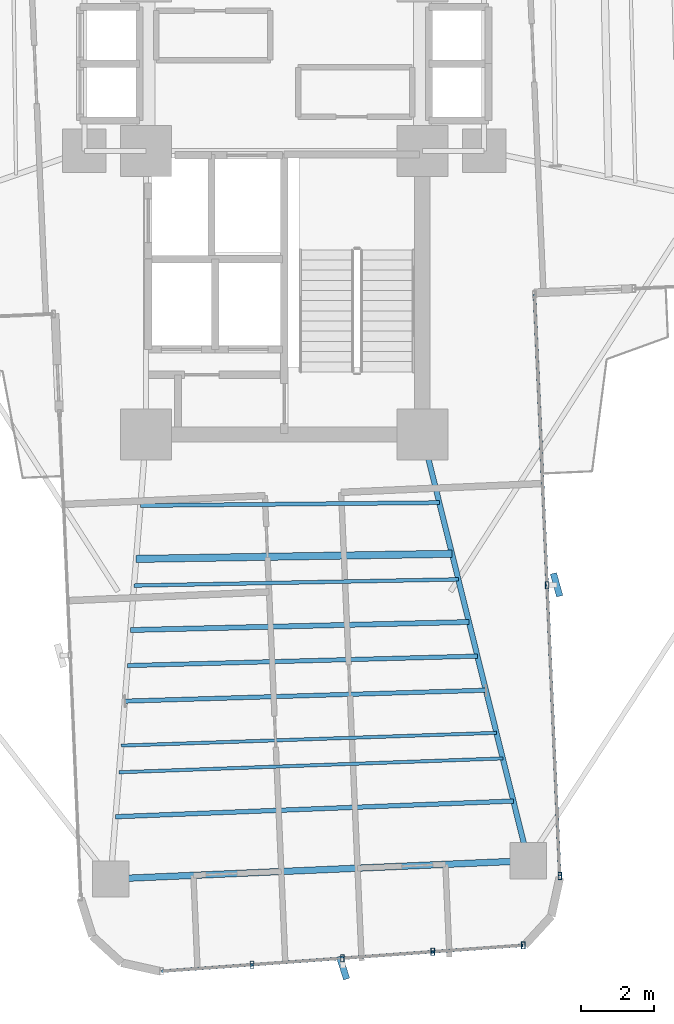
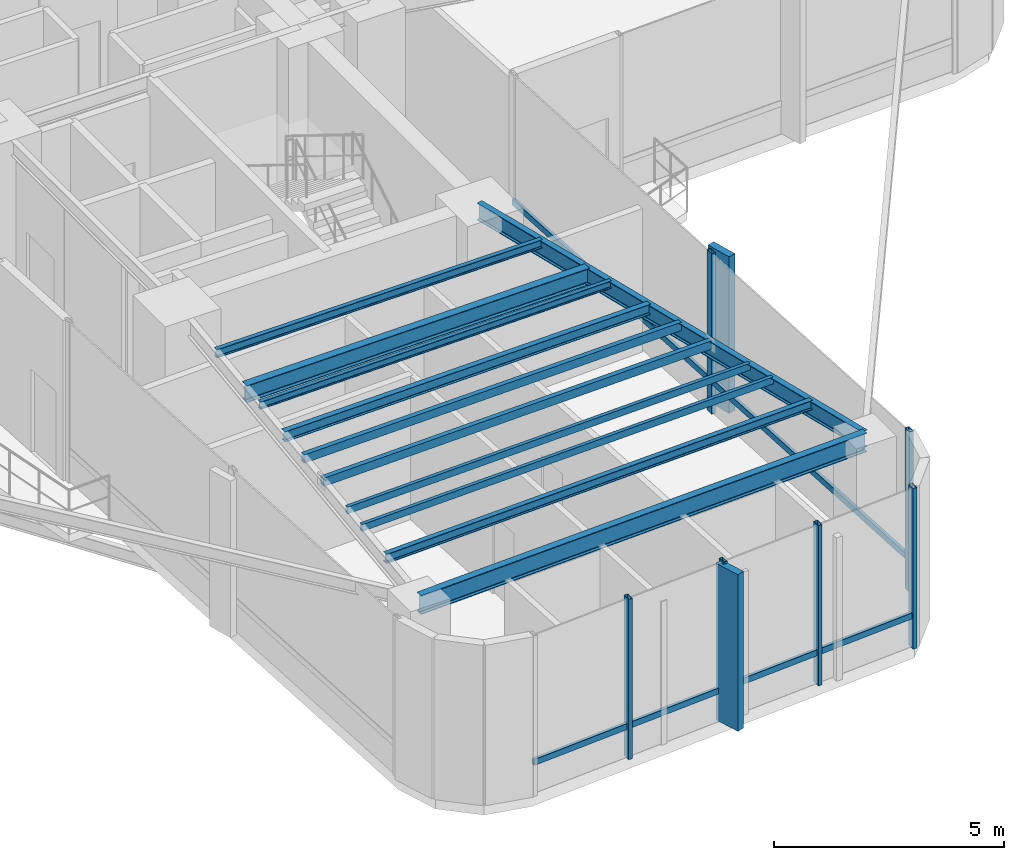
# One storey, part 3 of 21: 14 members, 11 beams, 2 elements without a shape of their own.
"""IFC4 building model written with IfcOpenShell, lengths in metres."""

from ifc_helpers import new_model, si_unit, direction, frame, origin, origin_2d, place, context, subcontext, project, spatial, rectangle, hollow_rectangle, i_section, extrude, source, transform, mapped, material, material_profile, profile_set, type_object, element, aggregate, save


model = new_model("IFC4")

# Units and contexts
model_context = context("Model", 3, precision=1e-05, world=origin(), true_north=direction((0.0, 1.0)))
body_context = subcontext(model_context, "Body", "Model", "MODEL_VIEW")
ifc_project = project(units=[si_unit("LENGTHUNIT", "METRE"), si_unit("AREAUNIT", "SQUARE_METRE"), si_unit("VOLUMEUNIT", "CUBIC_METRE"), si_unit("PLANEANGLEUNIT", "RADIAN"), si_unit("MASSUNIT", "GRAM", prefix="KILO")], contexts=[model_context])

# Site, building, storey
site_placement = place(None, origin())
site = spatial("IfcSite", under=ifc_project, at=site_placement, CompositionType="ELEMENT")
building_placement = place(site_placement, origin())
building = spatial("IfcBuilding", under=site, at=building_placement, Name="Sahyath Konkavel Grand Hotel", CompositionType="ELEMENT")
storey_placement = place(building_placement, frame((0.0, 0.0, 79.0)))
storey = spatial("IfcBuildingStorey", under=building, at=storey_placement, Name="L21", CompositionType="ELEMENT", Elevation=79.0)

# Beams
ifc_material_1 = material(Name="Steel E350", Category="steel")
ifc_material_profile_1 = material_profile(ifc_material_1, i_section(OverallWidth=0.14990234375, OverallDepth=0.449951171875, WebThickness=0.009521484375, FlangeThickness=0.017333984375, FilletRadius=0.014892578125, at=origin_2d()), Name="ISMB 450")
ifc_profile_set_1 = profile_set([ifc_material_profile_1], Name="Steel E350")
beam_type_1 = type_object("IfcBeamType", Name="BM-ISMB450", PredefinedType="BEAM", material=ifc_profile_set_1)
shared_shape_1 = source(origin(), body_context, "Body", "SweptSolid", [
    extrude(i_section(OverallWidth=0.14990234375, OverallDepth=0.449951171875, WebThickness=0.009521484375, FlangeThickness=0.017333984375, FilletRadius=0.014892578125, at=origin_2d()), origin(), (0.0, 0.0, 1.0), 12.084228515625),
])
beam_1_placement = place(storey_placement, frame((3.800048828125, -10.199951171875, 4.034912109375), z_axis=(0.241042688481, -0.970514514229, 0.0), x_axis=(0.970514514229, 0.241042688481, 0.0)))
element("IfcBeam", 1, at=beam_1_placement, inside=storey, type_object=beam_type_1, Name="L21 Cruciform Radial Girder SB", PredefinedType="BEAM", context=body_context, shape_type="MappedRepresentation", body=[
    mapped(shared_shape_1, transform((0.0, 0.0, 0.0), scale=1.0)),
])
ifc_material_profile_2 = material_profile(ifc_material_1, i_section(OverallWidth=0.179931640625, OverallDepth=0.5, WebThickness=0.01025390625, FlangeThickness=0.01708984375, FilletRadius=0.01708984375, at=origin_2d()), Name="ISMB 500")
ifc_profile_set_2 = profile_set([ifc_material_profile_2], Name="Steel E350")
beam_type_2 = type_object("IfcBeamType", Name="BM-ISMB500", PredefinedType="BEAM", material=ifc_profile_set_2)
shared_shape_2 = source(origin(), body_context, "Body", "SweptSolid", [
    extrude(i_section(OverallWidth=0.179931640625, OverallDepth=0.5, WebThickness=0.01025390625, FlangeThickness=0.01708984375, FilletRadius=0.01708984375, at=origin_2d()), origin(), (0.0, 0.0, 1.0), 11.5),
])
beam_2_placement = place(storey_placement, frame((-4.776123046875, -22.4296875, 4.010009765625), z_axis=(0.99904788879, 0.043627008892, 0.0), x_axis=(-0.043627008892, 0.99904788879, 0.0)))
element("IfcBeam", 2, at=beam_2_placement, inside=storey, type_object=beam_type_2, Name="L21 Wing Tip Edge Beam S", PredefinedType="BEAM", context=body_context, shape_type="MappedRepresentation", body=[
    mapped(shared_shape_2, transform((0.0, 0.0, 0.0), scale=1.0)),
])
ifc_material_profile_3 = material_profile(ifc_material_1, i_section(OverallWidth=0.199951171875, OverallDepth=0.449951171875, WebThickness=0.00927734375, FlangeThickness=0.015380859375, FilletRadius=0.01611328125, at=origin_2d()), Name="ISWB 450")
ifc_profile_set_3 = profile_set([ifc_material_profile_3], Name="Steel E350")
beam_type_3 = type_object("IfcBeamType", Name="BM-ISWB450", PredefinedType="BEAM", material=ifc_profile_set_3)
shared_shape_3 = source(origin(), body_context, "Body", "SweptSolid", [
    extrude(i_section(OverallWidth=0.199951171875, OverallDepth=0.449951171875, WebThickness=0.00927734375, FlangeThickness=0.015380859375, FilletRadius=0.01611328125, at=origin_2d()), origin(), (0.0, 0.0, 1.0), 8.68994140625),
])
beam_3_placement = place(storey_placement, frame((-4.0732421875, -13.624267578125, 4.034912109375), z_axis=(0.999869506431, 0.016154569283, 0.0), x_axis=(-0.016154569283, 0.999869506431, 0.0)))
element("IfcBeam", 3, at=beam_3_placement, inside=storey, type_object=beam_type_3, Name="L21 Secondary Floor Beam S-1", PredefinedType="BEAM", context=body_context, shape_type="MappedRepresentation", body=[
    mapped(shared_shape_3, transform((0.0, 0.0, 0.0), scale=1.0)),
])
ifc_material_profile_4 = material_profile(ifc_material_1, hollow_rectangle(XDim=0.1201171875, YDim=0.219970703125, WallThickness=0.010009765625, at=origin_2d()), Name="RHS 220x120x10")
ifc_profile_set_4 = profile_set([ifc_material_profile_4], Name="Steel E350")
beam_type_4 = type_object("IfcBeamType", Name="BM-RHS220", PredefinedType="BEAM", material=ifc_profile_set_4)
shared_shape_4 = source(origin(), body_context, "Body", "SweptSolid", [
    extrude(hollow_rectangle(XDim=0.1201171875, YDim=0.219970703125, WallThickness=0.010009765625, at=origin_2d()), origin(), (0.0, 0.0, 1.0), 9.625732421875),
])
beam_4_placement = place(storey_placement, frame((-4.3076171875, -16.559326171875, 4.14990234375), z_axis=(0.999633060528, 0.027087714933, 0.0), x_axis=(-0.027087714933, 0.999633060528, 0.0)))
element("IfcBeam", 4, at=beam_4_placement, inside=storey, type_object=beam_type_4, Name="L21 Secondary Floor Beam S-2", PredefinedType="BEAM", context=body_context, shape_type="MappedRepresentation", body=[
    mapped(shared_shape_4, transform((0.0, 0.0, 0.0), scale=1.0)),
])
ifc_material_profile_5 = material_profile(ifc_material_1, hollow_rectangle(XDim=0.090087890625, YDim=0.179931640625, WallThickness=0.008056640625, at=origin_2d()), Name="RHS 180x90x8")
ifc_profile_set_5 = profile_set([ifc_material_profile_5], Name="Steel E350")
beam_type_5 = type_object("IfcBeamType", Name="BM-RHS180", PredefinedType="BEAM", material=ifc_profile_set_5)
shared_shape_5 = source(origin(), body_context, "Body", "SweptSolid", [
    extrude(hollow_rectangle(XDim=0.090087890625, YDim=0.179931640625, WallThickness=0.008056640625, at=origin_2d()), origin(), (0.0, 0.0, 1.0), 10.562744140625),
])
beam_5_placement = place(storey_placement, frame((-4.5419921875, -19.49462890625, 4.169921875), z_axis=(0.999348077295, 0.036102914095, 0.0), x_axis=(-0.036102914095, 0.999348077295, 0.0)))
element("IfcBeam", 5, at=beam_5_placement, inside=storey, type_object=beam_type_5, Name="L21 Secondary Floor Beam S-3", PredefinedType="BEAM", context=body_context, shape_type="MappedRepresentation", body=[
    mapped(shared_shape_5, transform((0.0, 0.0, 0.0), scale=1.0)),
])
ifc_material_profile_6 = material_profile(ifc_material_1, i_section(OverallWidth=0.110107421875, OverallDepth=0.22509765625, WebThickness=0.006591796875, FlangeThickness=0.01171875, FilletRadius=0.011962890625, at=origin_2d()), Name="ISMB 225")
ifc_profile_set_6 = profile_set([ifc_material_profile_6], Name="Steel E350")
beam_type_6 = type_object("IfcBeamType", Name="BM-ISMB225", PredefinedType="BEAM", material=ifc_profile_set_6)
shared_shape_6 = source(origin(), body_context, "Body", "SweptSolid", [
    extrude(i_section(OverallWidth=0.110107421875, OverallDepth=0.22509765625, WebThickness=0.006591796875, FlangeThickness=0.01171875, FilletRadius=0.011962890625, at=origin_2d()), origin(), (0.0, 0.0, 1.0), 8.222900390625),
])
beam_6_placement = place(storey_placement, frame((-3.956298828125, -12.15673828125, 4.1474609375), z_axis=(0.999952289679, 0.009768232528, 0.0), x_axis=(-0.009768232528, 0.999952289679, 0.0)))
element("IfcBeam", 6, at=beam_6_placement, inside=storey, type_object=beam_type_6, Name="L21 Composite Deck Sub-Beam S-1", PredefinedType="BEAM", context=body_context, shape_type="MappedRepresentation", body=[
    mapped(shared_shape_6, transform((0.0, 0.0, 0.0), scale=1.0)),
])
ifc_material_profile_7 = material_profile(ifc_material_1, i_section(OverallWidth=0.10009765625, OverallDepth=0.199951171875, WebThickness=0.005615234375, FlangeThickness=0.0107421875, FilletRadius=0.010986328125, at=origin_2d()), Name="ISMB 200")
ifc_profile_set_7 = profile_set([ifc_material_profile_7], Name="Steel E350")
beam_type_7 = type_object("IfcBeamType", Name="BM-ISMB200", PredefinedType="BEAM", material=ifc_profile_set_7)
shared_shape_7 = source(origin(), body_context, "Body", "SweptSolid", [
    extrude(i_section(OverallWidth=0.10009765625, OverallDepth=0.199951171875, WebThickness=0.005615234375, FlangeThickness=0.0107421875, FilletRadius=0.010986328125, at=origin_2d()), origin(), (0.0, 0.0, 1.0), 8.923828125),
])
beam_7_placement = place(storey_placement, frame((-4.1318359375, -14.358154296875, 4.159912109375), z_axis=(0.99981712713, 0.019123605743, 0.0), x_axis=(-0.019123605743, 0.99981712713, 0.0)))
element("IfcBeam", 7, at=beam_7_placement, inside=storey, type_object=beam_type_7, Name="L21 Composite Deck Sub-Beam S-2", PredefinedType="BEAM", context=body_context, shape_type="MappedRepresentation", body=[
    mapped(shared_shape_7, transform((0.0, 0.0, 0.0), scale=1.0)),
])
ifc_material_profile_8 = material_profile(ifc_material_1, i_section(OverallWidth=0.139892578125, OverallDepth=0.27490234375, WebThickness=0.00634765625, FlangeThickness=0.0087890625, FilletRadius=0.012939453125, at=origin_2d()), Name="ISLB 275")
ifc_profile_set_8 = profile_set([ifc_material_profile_8], Name="Steel E350")
beam_type_8 = type_object("IfcBeamType", Name="BM-ISLB275", PredefinedType="BEAM", material=ifc_profile_set_8)
shared_shape_8 = source(origin(), body_context, "Body", "SweptSolid", [
    extrude(i_section(OverallWidth=0.139892578125, OverallDepth=0.27490234375, WebThickness=0.00634765625, FlangeThickness=0.0087890625, FilletRadius=0.012939453125, at=origin_2d()), origin(), (0.0, 0.0, 1.0), 9.31396484375),
])
beam_8_placement = place(storey_placement, frame((-4.2294921875, -15.5810546875, 4.12255859375), z_axis=(0.999719207624, 0.023696115884, 0.0), x_axis=(-0.023696115884, 0.999719207624, 0.0)))
element("IfcBeam", 8, at=beam_8_placement, inside=storey, type_object=beam_type_8, Name="L21 Composite Deck Sub-Beam S-3", PredefinedType="BEAM", context=body_context, shape_type="MappedRepresentation", body=[
    mapped(shared_shape_8, transform((0.0, 0.0, 0.0), scale=1.0)),
])
shared_shape_9 = source(origin(), body_context, "Body", "SweptSolid", [
    extrude(hollow_rectangle(XDim=0.1201171875, YDim=0.219970703125, WallThickness=0.010009765625, at=origin_2d()), origin(), (0.0, 0.0, 1.0), 9.93798828125),
])
beam_9_placement = place(storey_placement, frame((-4.3857421875, -17.537841796875, 4.14990234375), z_axis=(0.999541134068, 0.030290614159, 0.0), x_axis=(-0.030290614159, 0.999541134068, 0.0)))
element("IfcBeam", 9, at=beam_9_placement, inside=storey, type_object=beam_type_4, Name="L21 Composite Deck Sub-Beam S-4", PredefinedType="BEAM", context=body_context, shape_type="MappedRepresentation", body=[
    mapped(shared_shape_9, transform((0.0, 0.0, 0.0), scale=1.0)),
])
shared_shape_10 = source(origin(), body_context, "Body", "SweptSolid", [
    extrude(hollow_rectangle(XDim=0.090087890625, YDim=0.179931640625, WallThickness=0.008056640625, at=origin_2d()), origin(), (0.0, 0.0, 1.0), 10.328369140625),
])
beam_10_placement = place(storey_placement, frame((-4.4833984375, -18.7607421875, 4.169921875), z_axis=(0.999422142561, 0.033990895225, 0.0), x_axis=(-0.033990895225, 0.999422142561, 0.0)))
element("IfcBeam", 10, at=beam_10_placement, inside=storey, type_object=beam_type_5, Name="L21 Composite Deck Sub-Beam S-5", PredefinedType="BEAM", context=body_context, shape_type="MappedRepresentation", body=[
    mapped(shared_shape_10, transform((0.0, 0.0, 0.0), scale=1.0)),
])
ifc_material_profile_9 = material_profile(ifc_material_1, i_section(OverallWidth=0.125, OverallDepth=0.25, WebThickness=0.0068359375, FlangeThickness=0.012451171875, FilletRadius=0.012939453125, at=origin_2d()), Name="ISMB 250")
ifc_profile_set_9 = profile_set([ifc_material_profile_9], Name="Steel E350")
beam_type_9 = type_object("IfcBeamType", Name="BM-ISMB250", PredefinedType="BEAM", material=ifc_profile_set_9)
shared_shape_11 = source(origin(), body_context, "Body", "SweptSolid", [
    extrude(i_section(OverallWidth=0.125, OverallDepth=0.25, WebThickness=0.0068359375, FlangeThickness=0.012451171875, FilletRadius=0.012939453125, at=origin_2d()), origin(), (0.0, 0.0, 1.0), 10.953125),
])
beam_11_placement = place(storey_placement, frame((-4.639404296875, -20.717529296875, 4.135009765625), z_axis=(0.99922407579, 0.039385864996, 0.0), x_axis=(-0.039385864996, 0.99922407579, 0.0)))
element("IfcBeam", 11, at=beam_11_placement, inside=storey, type_object=beam_type_9, Name="L21 Composite Deck Sub-Beam S-6", PredefinedType="BEAM", context=body_context, shape_type="MappedRepresentation", body=[
    mapped(shared_shape_11, transform((0.0, 0.0, 0.0), scale=1.0)),
])

# Curtain wall, members
ifc_material_2 = material(Name="Anodised Bronze Aluminium & Low-E Glazing", Category="aluminium")
curtain_wall_type = type_object("IfcCurtainWallType", Name="CW-SKYLOBBY", PredefinedType="NOTDEFINED", material=ifc_material_2)
curtain_wall_1_placement = place(storey_placement, origin())
curtain_wall_1 = element("IfcCurtainWall", 12, at=curtain_wall_1_placement, inside=storey, type_object=curtain_wall_type, Name="L21 Unitised Curtain Wall F28", PredefinedType="NOTDEFINED")
ifc_material_3 = material(Name="Anodised Bronze Aluminium", Category="aluminium")
ifc_material_profile_10 = material_profile(ifc_material_3, hollow_rectangle(XDim=0.10009765625, YDim=0.199951171875, WallThickness=0.008056640625, at=origin_2d()), Name="RHS 200x100x8")
ifc_profile_set_10 = profile_set([ifc_material_profile_10], Name="Anodised Bronze Aluminium")
member_type_1 = type_object("IfcMemberType", Name="CW-MUL-200", PredefinedType="MULLION", material=ifc_profile_set_10)
shared_shape_12 = source(origin(), body_context, "Body", "SweptSolid", [
    extrude(hollow_rectangle(XDim=0.10009765625, YDim=0.199951171875, WallThickness=0.008056640625, at=origin_2d()), origin(), (0.0, 0.0, 1.0), 4.260009765625),
])
member_1_placement = place(storey_placement, frame((-0.886962890625, -24.79150390625, 0.0), z_axis=(0.0, 0.0, 1.0), x_axis=(1.0, 0.0, 0.0)))
member_1 = element("IfcMember", 13, at=member_1_placement, type_object=member_type_1, Name="L21 Curtain Wall Mullion F28-1", PredefinedType="MULLION", context=body_context, shape_type="MappedRepresentation", body=[
    mapped(shared_shape_12, transform((0.0, 0.0, 0.0), scale=1.0)),
])
member_2_placement = place(storey_placement, frame((1.60009765625, -24.61279296875, 0.0), z_axis=(0.0, 0.0, 1.0), x_axis=(1.0, 0.0, 0.0)))
member_2 = element("IfcMember", 14, at=member_2_placement, type_object=member_type_1, Name="L21 Curtain Wall Mullion F28-2", PredefinedType="MULLION", context=body_context, shape_type="MappedRepresentation", body=[
    mapped(shared_shape_12, transform((0.0, 0.0, 0.0), scale=1.0)),
])
member_3_placement = place(storey_placement, frame((4.087158203125, -24.4345703125, 0.0), z_axis=(0.0, 0.0, 1.0), x_axis=(1.0, 0.0, 0.0)))
member_3 = element("IfcMember", 15, at=member_3_placement, type_object=member_type_1, Name="L21 Curtain Wall Mullion F28-3", PredefinedType="MULLION", context=body_context, shape_type="MappedRepresentation", body=[
    mapped(shared_shape_12, transform((0.0, 0.0, 0.0), scale=1.0)),
])
member_4_placement = place(storey_placement, frame((6.57421875, -24.256103515625, 0.0), z_axis=(0.0, 0.0, 1.0), x_axis=(1.0, 0.0, 0.0)))
member_4 = element("IfcMember", 16, at=member_4_placement, type_object=member_type_1, Name="L21 Curtain Wall Mullion F28-4", PredefinedType="MULLION", context=body_context, shape_type="MappedRepresentation", body=[
    mapped(shared_shape_12, transform((0.0, 0.0, 0.0), scale=1.0)),
])

curtain_wall_2_placement = place(storey_placement, origin())
curtain_wall_2 = element("IfcCurtainWall", 17, at=curtain_wall_2_placement, inside=storey, type_object=curtain_wall_type, Name="L21 Unitised Curtain Wall F31", PredefinedType="NOTDEFINED")
member_5_placement = place(storey_placement, frame((7.582275390625, -22.3505859375, 0.0), z_axis=(0.0, 0.0, 1.0), x_axis=(1.0, 0.0, 0.0)))
member_5 = element("IfcMember", 18, at=member_5_placement, type_object=member_type_1, Name="L21 Curtain Wall Mullion F31-0", PredefinedType="MULLION", context=body_context, shape_type="MappedRepresentation", body=[
    mapped(shared_shape_12, transform((0.0, 0.0, 0.0), scale=1.0)),
])
member_6_placement = place(storey_placement, frame((7.232666015625, -14.34814453125, 0.0), z_axis=(0.0, 0.0, 1.0), x_axis=(1.0, 0.0, 0.0)))
member_6 = element("IfcMember", 19, at=member_6_placement, type_object=member_type_1, Name="L21 Curtain Wall Mullion F31-1", PredefinedType="MULLION", context=body_context, shape_type="MappedRepresentation", body=[
    mapped(shared_shape_12, transform((0.0, 0.0, 0.0), scale=1.0)),
])

# Member
ifc_material_4 = material(Name="Warm Buff Sandstone Cladding on Concrete C50/60", Category="masonry")
ifc_material_profile_11 = material_profile(ifc_material_4, rectangle(XDim=0.179931640625, YDim=0.64990234375, at=origin_2d()), Name="FIN 180x650")
ifc_profile_set_11 = profile_set([ifc_material_profile_11], Name="Warm Buff Sandstone Cladding on Concrete C50/60")
member_type_2 = type_object("IfcMemberType", Name="FIN-SANDSTONE-650", PredefinedType="MULLION", material=ifc_profile_set_11)
shared_shape_13 = source(origin(), body_context, "Body", "SweptSolid", [
    extrude(rectangle(XDim=0.179931640625, YDim=0.64990234375, at=origin_2d()), origin(), (0.0, 0.0, 1.0), 4.159912109375),
])
member_7_placement = place(storey_placement, frame((1.61865234375, -24.872314453125, 0.050048828125), z_axis=(0.0, 0.0, 1.0), x_axis=(0.954083620326, 0.299540390309, 0.0)))
member_7 = element("IfcMember", 20, at=member_7_placement, type_object=member_type_2, Name="L21 Sandstone Vertical Solar Fin FIN F28-2", PredefinedType="MULLION", context=body_context, shape_type="MappedRepresentation", body=[
    mapped(shared_shape_13, transform((0.0, 0.0, 0.0), scale=1.0)),
])

member_8_placement = place(storey_placement, frame((7.492431640625, -14.3369140625, 0.050048828125), z_axis=(0.0, 0.0, 1.0), x_axis=(0.963677080427, 0.267070186767, 0.0)))
member_8 = element("IfcMember", 21, at=member_8_placement, type_object=member_type_2, Name="L21 Sandstone Vertical Solar Fin FIN F31-1", PredefinedType="MULLION", context=body_context, shape_type="MappedRepresentation", body=[
    mapped(shared_shape_13, transform((0.0, 0.0, 0.0), scale=1.0)),
])

ifc_material_profile_12 = material_profile(ifc_material_3, hollow_rectangle(XDim=0.080078125, YDim=0.159912109375, WallThickness=0.006103515625, at=origin_2d()), Name="RHS 160x80x6")
ifc_profile_set_12 = profile_set([ifc_material_profile_12], Name="Anodised Bronze Aluminium")
member_type_3 = type_object("IfcMemberType", Name="CW-TRN-160", PredefinedType="USERDEFINED", material=ifc_profile_set_12)
shared_shape_14 = source(origin(), body_context, "Body", "SweptSolid", [
    extrude(hollow_rectangle(XDim=0.080078125, YDim=0.159912109375, WallThickness=0.006103515625, at=origin_2d()), origin(), (0.0, 0.0, 1.0), 2.493408203125),
])
member_9_placement = place(storey_placement, frame((-3.3740234375, -24.9697265625, 0.85009765625), z_axis=(0.997442271688, 0.071476672066, 0.0), x_axis=(-0.071476672066, 0.997442271688, 0.0)))
member_9 = element("IfcMember", 22, at=member_9_placement, type_object=member_type_3, Name="L21 Curtain Wall Transom F28-0-spandrel", ObjectType="TRANSOM", PredefinedType="USERDEFINED", context=body_context, shape_type="MappedRepresentation", body=[
    mapped(shared_shape_14, transform((0.0, 0.0, 0.0), scale=1.0)),
])

member_10_placement = place(storey_placement, frame((-0.886962890625, -24.79150390625, 0.85009765625), z_axis=(0.997428291631, 0.071671494009, 0.0), x_axis=(-0.071671494009, 0.997428291631, 0.0)))
member_10 = element("IfcMember", 23, at=member_10_placement, type_object=member_type_3, Name="L21 Curtain Wall Transom F28-1-spandrel", ObjectType="TRANSOM", PredefinedType="USERDEFINED", context=body_context, shape_type="MappedRepresentation", body=[
    mapped(shared_shape_14, transform((0.0, 0.0, 0.0), scale=1.0)),
])

member_11_placement = place(storey_placement, frame((1.60009765625, -24.61279296875, 0.85009765625), z_axis=(0.997442271688, 0.071476672066, 0.0), x_axis=(-0.071476672066, 0.997442271688, 0.0)))
member_11 = element("IfcMember", 24, at=member_11_placement, type_object=member_type_3, Name="L21 Curtain Wall Transom F28-2-spandrel", ObjectType="TRANSOM", PredefinedType="USERDEFINED", context=body_context, shape_type="MappedRepresentation", body=[
    mapped(shared_shape_14, transform((0.0, 0.0, 0.0), scale=1.0)),
])

member_12_placement = place(storey_placement, frame((4.087158203125, -24.4345703125, 0.85009765625), z_axis=(0.997435286367, 0.071574084062, 0.0), x_axis=(-0.071574084062, 0.997435286367, 0.0)))
member_12 = element("IfcMember", 25, at=member_12_placement, type_object=member_type_3, Name="L21 Curtain Wall Transom F28-3-spandrel", ObjectType="TRANSOM", PredefinedType="USERDEFINED", context=body_context, shape_type="MappedRepresentation", body=[
    mapped(shared_shape_14, transform((0.0, 0.0, 0.0), scale=1.0)),
])

aggregate(curtain_wall_1, [member_1, member_2, member_7, member_3, member_4, member_9, member_10, member_11, member_12])

shared_shape_15 = source(origin(), body_context, "Body", "SweptSolid", [
    extrude(hollow_rectangle(XDim=0.080078125, YDim=0.159912109375, WallThickness=0.006103515625, at=origin_2d()), origin(), (0.0, 0.0, 1.0), 8.010009765625),
])
member_13_placement = place(storey_placement, frame((7.582275390625, -22.3505859375, 0.85009765625), z_axis=(-0.043646207089, 0.999047050247, 0.0), x_axis=(-0.999047050247, -0.043646207089, 0.0)))
member_13 = element("IfcMember", 26, at=member_13_placement, type_object=member_type_3, Name="L21 Curtain Wall Transom F31-0-spandrel", ObjectType="TRANSOM", PredefinedType="USERDEFINED", context=body_context, shape_type="MappedRepresentation", body=[
    mapped(shared_shape_15, transform((0.0, 0.0, 0.0), scale=1.0)),
])

member_14_placement = place(storey_placement, frame((7.232666015625, -14.34814453125, 0.85009765625), z_axis=(-0.043615785896, 0.999048378819, 0.0), x_axis=(-0.999048378819, -0.043615785896, 0.0)))
member_14 = element("IfcMember", 27, at=member_14_placement, type_object=member_type_3, Name="L21 Curtain Wall Transom F31-1-spandrel", ObjectType="TRANSOM", PredefinedType="USERDEFINED", context=body_context, shape_type="MappedRepresentation", body=[
    mapped(shared_shape_15, transform((0.0, 0.0, 0.0), scale=1.0)),
])

aggregate(curtain_wall_2, [member_5, member_6, member_8, member_13, member_14])

save(model, "model.ifc")
